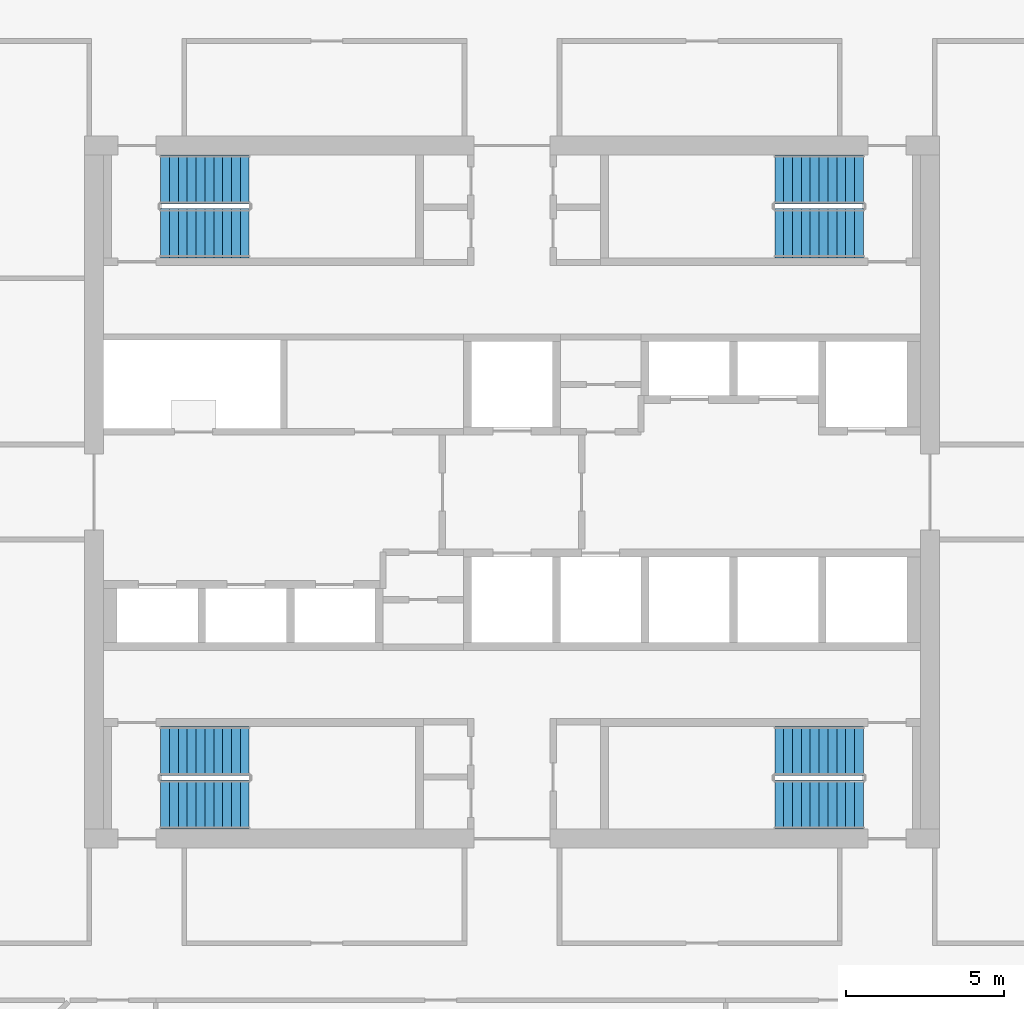
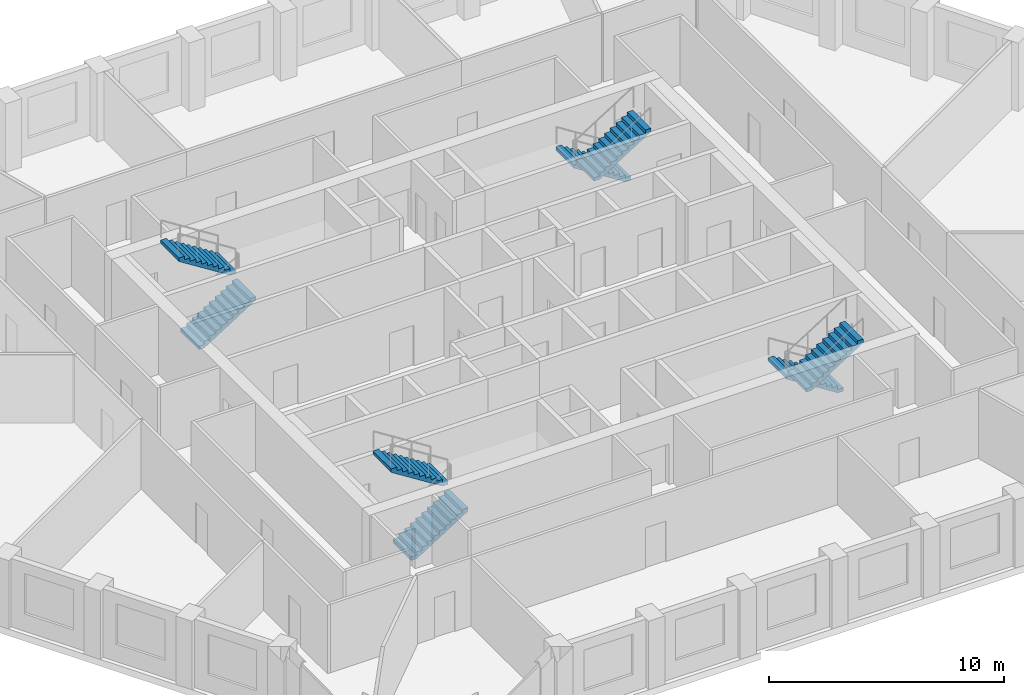
# One storey, part 8 of 13: 8 stair flights, 4 elements without a shape of their own.
"""IFC4 building model written with IfcOpenShell, lengths in metres."""

from ifc_helpers import new_model, si_unit, direction, frame, origin, place, context, subcontext, project, spatial, polyline, outline, extrude, material, type_object, element, aggregate, save


model = new_model("IFC4")

# Units and contexts
model_context = context("Model", 3, precision=1e-05, world=origin(), true_north=direction((0.0, 1.0)))
body_context = subcontext(model_context, "Body", "Model", "MODEL_VIEW")
ifc_project = project(units=[si_unit("LENGTHUNIT", "METRE"), si_unit("AREAUNIT", "SQUARE_METRE"), si_unit("VOLUMEUNIT", "CUBIC_METRE"), si_unit("PLANEANGLEUNIT", "RADIAN"), si_unit("MASSUNIT", "GRAM", prefix="KILO")], contexts=[model_context])

# Site, building, storey
site_placement = place(None, origin())
site = spatial("IfcSite", under=ifc_project, at=site_placement, CompositionType="ELEMENT")
building_placement = place(site_placement, origin())
building = spatial("IfcBuilding", under=site, at=building_placement, Name="Dhurran Vertical Campus", CompositionType="ELEMENT")
storey_placement = place(building_placement, frame((0.0, 0.0, 187.800048828125)))
storey = spatial("IfcBuildingStorey", under=building, at=storey_placement, Name="L46", CompositionType="ELEMENT", Elevation=187.800048828125)

# Stair, stair flights
ifc_material_1 = material(Name="Concrete C40/50", Category="concrete")
stair_type = type_object("IfcStairType", Name="co-ST-CORE", PredefinedType="HALF_TURN_STAIR", material=ifc_material_1)
stair_1_placement = place(storey_placement, origin())
stair_1 = element("IfcStair", 1, at=stair_1_placement, inside=storey, type_object=stair_type, Name="L46 Protected exit stair ST1", PredefinedType="HALF_TURN_STAIR")
ifc_material_2 = material(Name="Concrete C40/50", Category="concrete")
stair_flight_type = type_object("IfcStairFlightType", Name="co-SFL-RC", PredefinedType="STRAIGHT", material=ifc_material_2)
stair_flight_1_placement = place(storey_placement, frame((-11.10009765625, 8.175048828125, 0.0), z_axis=(0.0, 0.0, 1.0), x_axis=(1.0, 0.0, 0.0)))
stair_flight_1 = element("IfcStairFlight", 2, at=stair_flight_1_placement, type_object=stair_flight_type, Name="ST1 flight 1", NumberOfRisers=11, NumberOfTreads=10, PredefinedType="STRAIGHT", RiserHeight=0.177272727, TreadLength=0.28, context=body_context, shape_type="SweptSolid", body=[
    extrude(outline(polyline([(0.0, 0.0), (0.0, 0.17724609375), (0.280029296875, 0.17724609375), (0.280029296875, 0.3544921875), (0.56005859375, 0.3544921875), (0.56005859375, 0.53173828125), (0.840087890625, 0.53173828125), (0.840087890625, 0.708984375), (1.1201171875, 0.708984375), (1.1201171875, 0.886474609375), (1.39990234375, 0.886474609375), (1.39990234375, 1.063720703125), (1.679931640625, 1.063720703125), (1.679931640625, 1.240966796875), (1.9599609375, 1.240966796875), (1.9599609375, 1.418212890625), (2.239990234375, 1.418212890625), (2.239990234375, 1.595458984375), (2.52001953125, 1.595458984375), (2.52001953125, 1.772705078125), (2.800048828125, 1.772705078125), (2.800048828125, 1.949951171875), (2.800048828125, 1.59521484375), (0.2802734375, 0.0), (0.0, 0.0)])), frame((0.0, 0.77490234375, 0.0), z_axis=(0.0, -1.0, 0.0), x_axis=(1.0, 0.0, 0.0)), (0.0, 0.0, 1.0), 1.550048828125),
])
stair_flight_2_placement = place(storey_placement, frame((-8.300048828125, 9.875, 1.949951171875), z_axis=(0.0, 0.0, 1.0), x_axis=(-1.0, 0.0, 0.0)))
stair_flight_2 = element("IfcStairFlight", 3, at=stair_flight_2_placement, type_object=stair_flight_type, Name="ST1 flight 2", NumberOfRisers=11, NumberOfTreads=10, PredefinedType="STRAIGHT", RiserHeight=0.177272727, TreadLength=0.28, context=body_context, shape_type="SweptSolid", body=[
    extrude(outline(polyline([(0.0, 0.0), (0.0, 0.17724609375), (0.280029296875, 0.17724609375), (0.280029296875, 0.3544921875), (0.56005859375, 0.3544921875), (0.56005859375, 0.53173828125), (0.840087890625, 0.53173828125), (0.840087890625, 0.708984375), (1.1201171875, 0.708984375), (1.1201171875, 0.886474609375), (1.39990234375, 0.886474609375), (1.39990234375, 1.063720703125), (1.679931640625, 1.063720703125), (1.679931640625, 1.240966796875), (1.9599609375, 1.240966796875), (1.9599609375, 1.418212890625), (2.239990234375, 1.418212890625), (2.239990234375, 1.595458984375), (2.52001953125, 1.595458984375), (2.52001953125, 1.772705078125), (2.800048828125, 1.772705078125), (2.800048828125, 1.949951171875), (2.800048828125, 1.59521484375), (0.2802734375, 0.0), (0.0, 0.0)])), frame((0.0, 0.77490234375, 0.0), z_axis=(0.0, -1.0, 0.0), x_axis=(1.0, 0.0, 0.0)), (0.0, 0.0, 1.0), 1.550048828125),
])
aggregate(stair_1, [stair_flight_1, stair_flight_2])

stair_2_placement = place(storey_placement, origin())
stair_2 = element("IfcStair", 4, at=stair_2_placement, inside=storey, type_object=stair_type, Name="L46 Protected exit stair ST2", PredefinedType="HALF_TURN_STAIR")
stair_flight_3_placement = place(storey_placement, frame((11.10009765625, 9.875, 0.0), z_axis=(0.0, 0.0, 1.0), x_axis=(-1.0, 0.0, 0.0)))
stair_flight_3 = element("IfcStairFlight", 5, at=stair_flight_3_placement, type_object=stair_flight_type, Name="ST2 flight 1", NumberOfRisers=11, NumberOfTreads=10, PredefinedType="STRAIGHT", RiserHeight=0.177272727, TreadLength=0.28, context=body_context, shape_type="SweptSolid", body=[
    extrude(outline(polyline([(0.0, 0.0), (0.0, 0.17724609375), (0.280029296875, 0.17724609375), (0.280029296875, 0.3544921875), (0.56005859375, 0.3544921875), (0.56005859375, 0.53173828125), (0.840087890625, 0.53173828125), (0.840087890625, 0.708984375), (1.1201171875, 0.708984375), (1.1201171875, 0.886474609375), (1.39990234375, 0.886474609375), (1.39990234375, 1.063720703125), (1.679931640625, 1.063720703125), (1.679931640625, 1.240966796875), (1.9599609375, 1.240966796875), (1.9599609375, 1.418212890625), (2.239990234375, 1.418212890625), (2.239990234375, 1.595458984375), (2.52001953125, 1.595458984375), (2.52001953125, 1.772705078125), (2.800048828125, 1.772705078125), (2.800048828125, 1.949951171875), (2.800048828125, 1.59521484375), (0.2802734375, 0.0), (0.0, 0.0)])), frame((0.0, 0.77490234375, 0.0), z_axis=(0.0, -1.0, 0.0), x_axis=(1.0, 0.0, 0.0)), (0.0, 0.0, 1.0), 1.550048828125),
])
stair_flight_4_placement = place(storey_placement, frame((8.300048828125, 8.175048828125, 1.949951171875), z_axis=(0.0, 0.0, 1.0), x_axis=(1.0, 0.0, 0.0)))
stair_flight_4 = element("IfcStairFlight", 6, at=stair_flight_4_placement, type_object=stair_flight_type, Name="ST2 flight 2", NumberOfRisers=11, NumberOfTreads=10, PredefinedType="STRAIGHT", RiserHeight=0.177272727, TreadLength=0.28, context=body_context, shape_type="SweptSolid", body=[
    extrude(outline(polyline([(0.0, 0.0), (0.0, 0.17724609375), (0.280029296875, 0.17724609375), (0.280029296875, 0.3544921875), (0.56005859375, 0.3544921875), (0.56005859375, 0.53173828125), (0.840087890625, 0.53173828125), (0.840087890625, 0.708984375), (1.1201171875, 0.708984375), (1.1201171875, 0.886474609375), (1.39990234375, 0.886474609375), (1.39990234375, 1.063720703125), (1.679931640625, 1.063720703125), (1.679931640625, 1.240966796875), (1.9599609375, 1.240966796875), (1.9599609375, 1.418212890625), (2.239990234375, 1.418212890625), (2.239990234375, 1.595458984375), (2.52001953125, 1.595458984375), (2.52001953125, 1.772705078125), (2.800048828125, 1.772705078125), (2.800048828125, 1.949951171875), (2.800048828125, 1.59521484375), (0.2802734375, 0.0), (0.0, 0.0)])), frame((0.0, 0.77490234375, 0.0), z_axis=(0.0, -1.0, 0.0), x_axis=(1.0, 0.0, 0.0)), (0.0, 0.0, 1.0), 1.550048828125),
])
aggregate(stair_2, [stair_flight_3, stair_flight_4])

stair_3_placement = place(storey_placement, origin())
stair_3 = element("IfcStair", 7, at=stair_3_placement, inside=storey, type_object=stair_type, Name="L46 Protected exit stair ST3", PredefinedType="HALF_TURN_STAIR")
stair_flight_5_placement = place(storey_placement, frame((-11.10009765625, -9.875, 0.0), z_axis=(0.0, 0.0, 1.0), x_axis=(1.0, 0.0, 0.0)))
stair_flight_5 = element("IfcStairFlight", 8, at=stair_flight_5_placement, type_object=stair_flight_type, Name="ST3 flight 1", NumberOfRisers=11, NumberOfTreads=10, PredefinedType="STRAIGHT", RiserHeight=0.177272727, TreadLength=0.28, context=body_context, shape_type="SweptSolid", body=[
    extrude(outline(polyline([(0.0, 0.0), (0.0, 0.17724609375), (0.280029296875, 0.17724609375), (0.280029296875, 0.3544921875), (0.56005859375, 0.3544921875), (0.56005859375, 0.53173828125), (0.840087890625, 0.53173828125), (0.840087890625, 0.708984375), (1.1201171875, 0.708984375), (1.1201171875, 0.886474609375), (1.39990234375, 0.886474609375), (1.39990234375, 1.063720703125), (1.679931640625, 1.063720703125), (1.679931640625, 1.240966796875), (1.9599609375, 1.240966796875), (1.9599609375, 1.418212890625), (2.239990234375, 1.418212890625), (2.239990234375, 1.595458984375), (2.52001953125, 1.595458984375), (2.52001953125, 1.772705078125), (2.800048828125, 1.772705078125), (2.800048828125, 1.949951171875), (2.800048828125, 1.59521484375), (0.2802734375, 0.0), (0.0, 0.0)])), frame((0.0, 0.77490234375, 0.0), z_axis=(0.0, -1.0, 0.0), x_axis=(1.0, 0.0, 0.0)), (0.0, 0.0, 1.0), 1.550048828125),
])
stair_flight_6_placement = place(storey_placement, frame((-8.300048828125, -8.175048828125, 1.949951171875), z_axis=(0.0, 0.0, 1.0), x_axis=(-1.0, 0.0, 0.0)))
stair_flight_6 = element("IfcStairFlight", 9, at=stair_flight_6_placement, type_object=stair_flight_type, Name="ST3 flight 2", NumberOfRisers=11, NumberOfTreads=10, PredefinedType="STRAIGHT", RiserHeight=0.177272727, TreadLength=0.28, context=body_context, shape_type="SweptSolid", body=[
    extrude(outline(polyline([(0.0, 0.0), (0.0, 0.17724609375), (0.280029296875, 0.17724609375), (0.280029296875, 0.3544921875), (0.56005859375, 0.3544921875), (0.56005859375, 0.53173828125), (0.840087890625, 0.53173828125), (0.840087890625, 0.708984375), (1.1201171875, 0.708984375), (1.1201171875, 0.886474609375), (1.39990234375, 0.886474609375), (1.39990234375, 1.063720703125), (1.679931640625, 1.063720703125), (1.679931640625, 1.240966796875), (1.9599609375, 1.240966796875), (1.9599609375, 1.418212890625), (2.239990234375, 1.418212890625), (2.239990234375, 1.595458984375), (2.52001953125, 1.595458984375), (2.52001953125, 1.772705078125), (2.800048828125, 1.772705078125), (2.800048828125, 1.949951171875), (2.800048828125, 1.59521484375), (0.2802734375, 0.0), (0.0, 0.0)])), frame((0.0, 0.77490234375, 0.0), z_axis=(0.0, -1.0, 0.0), x_axis=(1.0, 0.0, 0.0)), (0.0, 0.0, 1.0), 1.550048828125),
])
aggregate(stair_3, [stair_flight_5, stair_flight_6])

stair_4_placement = place(storey_placement, origin())
stair_4 = element("IfcStair", 10, at=stair_4_placement, inside=storey, type_object=stair_type, Name="L46 Protected exit stair ST4", PredefinedType="HALF_TURN_STAIR")
stair_flight_7_placement = place(storey_placement, frame((11.10009765625, -8.175048828125, 0.0), z_axis=(0.0, 0.0, 1.0), x_axis=(-1.0, 0.0, 0.0)))
stair_flight_7 = element("IfcStairFlight", 11, at=stair_flight_7_placement, type_object=stair_flight_type, Name="ST4 flight 1", NumberOfRisers=11, NumberOfTreads=10, PredefinedType="STRAIGHT", RiserHeight=0.177272727, TreadLength=0.28, context=body_context, shape_type="SweptSolid", body=[
    extrude(outline(polyline([(0.0, 0.0), (0.0, 0.17724609375), (0.280029296875, 0.17724609375), (0.280029296875, 0.3544921875), (0.56005859375, 0.3544921875), (0.56005859375, 0.53173828125), (0.840087890625, 0.53173828125), (0.840087890625, 0.708984375), (1.1201171875, 0.708984375), (1.1201171875, 0.886474609375), (1.39990234375, 0.886474609375), (1.39990234375, 1.063720703125), (1.679931640625, 1.063720703125), (1.679931640625, 1.240966796875), (1.9599609375, 1.240966796875), (1.9599609375, 1.418212890625), (2.239990234375, 1.418212890625), (2.239990234375, 1.595458984375), (2.52001953125, 1.595458984375), (2.52001953125, 1.772705078125), (2.800048828125, 1.772705078125), (2.800048828125, 1.949951171875), (2.800048828125, 1.59521484375), (0.2802734375, 0.0), (0.0, 0.0)])), frame((0.0, 0.77490234375, 0.0), z_axis=(0.0, -1.0, 0.0), x_axis=(1.0, 0.0, 0.0)), (0.0, 0.0, 1.0), 1.550048828125),
])
stair_flight_8_placement = place(storey_placement, frame((8.300048828125, -9.875, 1.949951171875), z_axis=(0.0, 0.0, 1.0), x_axis=(1.0, 0.0, 0.0)))
stair_flight_8 = element("IfcStairFlight", 12, at=stair_flight_8_placement, type_object=stair_flight_type, Name="ST4 flight 2", NumberOfRisers=11, NumberOfTreads=10, PredefinedType="STRAIGHT", RiserHeight=0.177272727, TreadLength=0.28, context=body_context, shape_type="SweptSolid", body=[
    extrude(outline(polyline([(0.0, 0.0), (0.0, 0.17724609375), (0.280029296875, 0.17724609375), (0.280029296875, 0.3544921875), (0.56005859375, 0.3544921875), (0.56005859375, 0.53173828125), (0.840087890625, 0.53173828125), (0.840087890625, 0.708984375), (1.1201171875, 0.708984375), (1.1201171875, 0.886474609375), (1.39990234375, 0.886474609375), (1.39990234375, 1.063720703125), (1.679931640625, 1.063720703125), (1.679931640625, 1.240966796875), (1.9599609375, 1.240966796875), (1.9599609375, 1.418212890625), (2.239990234375, 1.418212890625), (2.239990234375, 1.595458984375), (2.52001953125, 1.595458984375), (2.52001953125, 1.772705078125), (2.800048828125, 1.772705078125), (2.800048828125, 1.949951171875), (2.800048828125, 1.59521484375), (0.2802734375, 0.0), (0.0, 0.0)])), frame((0.0, 0.77490234375, 0.0), z_axis=(0.0, -1.0, 0.0), x_axis=(1.0, 0.0, 0.0)), (0.0, 0.0, 1.0), 1.550048828125),
])
aggregate(stair_4, [stair_flight_7, stair_flight_8])

save(model, "model.ifc")
